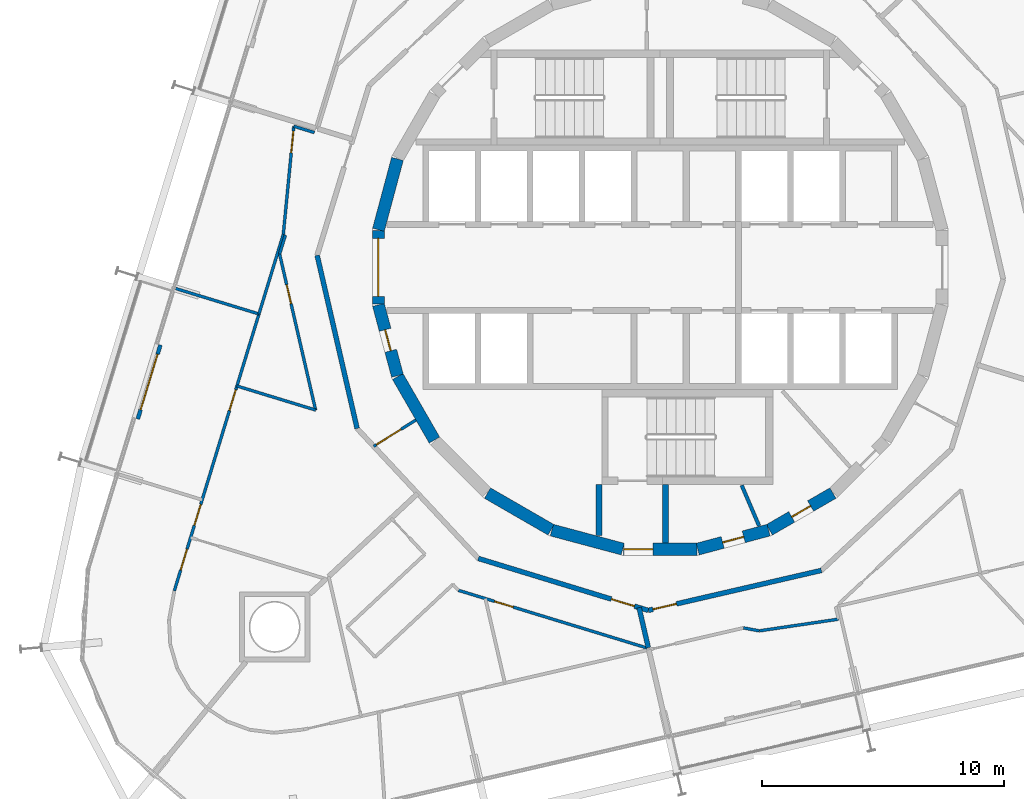
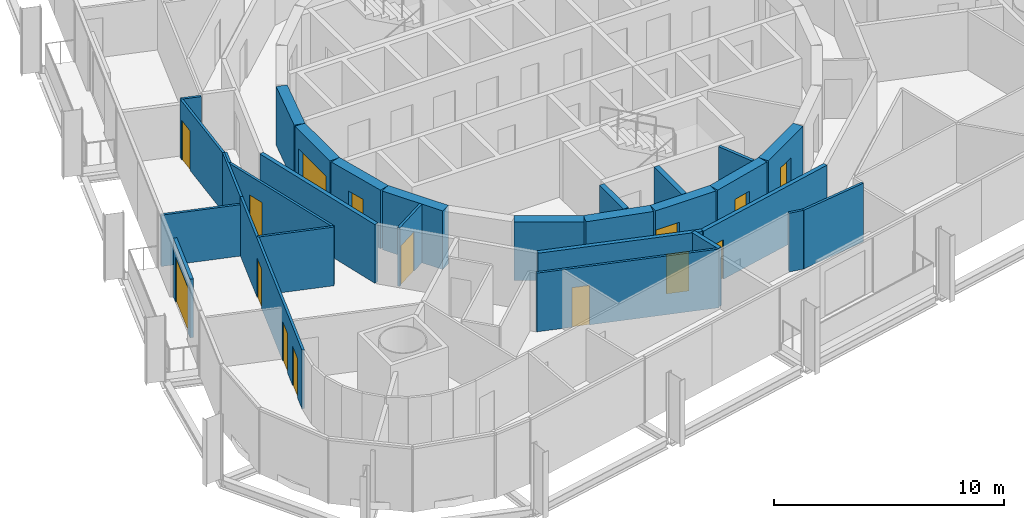
# One storey, part 12 of 18: 29 walls, 15 doors, 15 openings.
"""IFC4 building model written with IfcOpenShell, lengths in metres."""

from ifc_helpers import new_model, si_unit, direction, frame, frame_2d, origin, place, context, subcontext, project, spatial, rectangle, extrude, material, layer, layer_set, type_object, element, fill, save


model = new_model("IFC4")

# Units and contexts
model_context = context("Model", 3, precision=1e-05, world=origin(), true_north=direction((0.0, 1.0)))
body_context = subcontext(model_context, "Body", "Model", "MODEL_VIEW")
ifc_project = project(units=[si_unit("LENGTHUNIT", "METRE"), si_unit("AREAUNIT", "SQUARE_METRE"), si_unit("VOLUMEUNIT", "CUBIC_METRE"), si_unit("PLANEANGLEUNIT", "RADIAN"), si_unit("MASSUNIT", "GRAM", prefix="KILO")], contexts=[model_context])

# Site, building, storey
site_placement = place(None, origin())
site = spatial("IfcSite", under=ifc_project, at=site_placement, CompositionType="ELEMENT")
building_placement = place(site_placement, origin())
building = spatial("IfcBuilding", under=site, at=building_placement, Name="Spindle Arch Residences", CompositionType="ELEMENT")
storey_placement = place(building_placement, frame((0.0, 0.0, 116.89990234375)))
storey = spatial("IfcBuildingStorey", under=building, at=storey_placement, Name="L28", CompositionType="ELEMENT", Elevation=116.89990234375)

# Wall, opening, door
ifc_material_1 = material(Name="Concrete C50/60", Category="concrete")
ifc_layer_1 = layer(ifc_material_1, 0.5)
ifc_layer_set_1 = layer_set([ifc_layer_1], Name="Core outline wall 500")
wall_type_1 = type_object("IfcWallType", Name="Core outline wall 500", PredefinedType="SHEAR", material=ifc_layer_set_1)
wall_1_placement = place(storey_placement, frame((1.5498046875, -11.642822265625, 0.0), z_axis=(0.0, 0.0, 1.0), x_axis=(0.965948410781, 0.258734743916, 0.0)))
wall_1 = element("IfcWall", 1, at=wall_1_placement, inside=storey, type_object=wall_type_1, Name="Core outline wall 1", PredefinedType="SHEAR", context=body_context, shape_type="SweptSolid", body=[
    extrude(rectangle(XDim=3.03271484375, YDim=0.5, at=frame_2d((1.516357421875, 0.0))), origin(), (0.0, 0.0, 1.0), 3.1201171875),
])
opening_1_placement = place(wall_1_placement, frame((1.06640625, 0.0, 0.0)))
opening_1 = element("IfcOpeningElement", 2, at=opening_1_placement, cuts=wall_1, Name="Opening R3A1-WD09", PredefinedType="OPENING", context=body_context, shape_type="SweptSolid", body=[
    extrude(rectangle(XDim=0.89990234375, YDim=2.10009765625, at=frame_2d((0.449951171875, 1.050048828125))), frame((0.0, 0.260009765625, 0.0), z_axis=(0.0, -1.0, 0.0), x_axis=(1.0, 0.0, 0.0)), (0.0, 0.0, 1.0), 0.52001953125),
])
ifc_material_2 = material(Name="Steel, fire-resisting door", Category="steel")
door_type_1 = type_object("IfcDoorType", Name="Service room door 900x2100", OperationType="SINGLE_SWING_LEFT", PredefinedType="DOOR", material=ifc_material_2)
door_1_placement = place(opening_1_placement, origin())
door_1 = element("IfcDoor", 3, at=door_1_placement, inside=storey, type_object=door_type_1, Name="Service room door R3A1-WD09", OperationType="SINGLE_SWING_RIGHT", OverallHeight=2.10009765625, OverallWidth=0.89990234375, PredefinedType="DOOR", context=body_context, shape_type="SweptSolid", body=[
    extrude(rectangle(XDim=0.89990234375, YDim=2.10009765625, at=frame_2d((0.449951171875, 1.050048828125))), frame((0.0, 0.02490234375, 0.0), z_axis=(0.0, -1.0, 0.0), x_axis=(1.0, 0.0, 0.0)), (0.0, 0.0, 1.0), 0.050048828125),
])
fill(opening_1, door_1)

wall_2_placement = place(storey_placement, frame((4.510498046875, -10.84521484375, 0.0), z_axis=(0.0, 0.0, 1.0), x_axis=(0.865975092491, 0.500087131594, 0.0)))
wall_2 = element("IfcWall", 4, at=wall_2_placement, inside=storey, type_object=wall_type_1, Name="Core outline wall 2", PredefinedType="SHEAR", context=body_context, shape_type="SweptSolid", body=[
    extrude(rectangle(XDim=3.03271484375, YDim=0.5, at=frame_2d((1.516357421875, 0.0))), origin(), (0.0, 0.0, 1.0), 3.1201171875),
])
opening_2_placement = place(wall_2_placement, frame((1.06640625, 0.0, 0.0)))
opening_2 = element("IfcOpeningElement", 5, at=opening_2_placement, cuts=wall_2, Name="Opening R3A1-WD10", PredefinedType="OPENING", context=body_context, shape_type="SweptSolid", body=[
    extrude(rectangle(XDim=0.89990234375, YDim=2.10009765625, at=frame_2d((0.449951171875, 1.050048828125))), frame((0.0, 0.260009765625, 0.0), z_axis=(0.0, -1.0, 0.0), x_axis=(1.0, 0.0, 0.0)), (0.0, 0.0, 1.0), 0.52001953125),
])
door_2_placement = place(opening_2_placement, origin())
door_2 = element("IfcDoor", 6, at=door_2_placement, inside=storey, type_object=door_type_1, Name="Service room door R3A1-WD10", OperationType="SINGLE_SWING_LEFT", OverallHeight=2.10009765625, OverallWidth=0.89990234375, PredefinedType="DOOR", context=body_context, shape_type="SweptSolid", body=[
    extrude(rectangle(XDim=0.89990234375, YDim=2.10009765625, at=frame_2d((0.449951171875, 1.050048828125))), frame((0.0, 0.02490234375, 0.0), z_axis=(0.0, -1.0, 0.0), x_axis=(1.0, 0.0, 0.0)), (0.0, 0.0, 1.0), 0.050048828125),
])
fill(opening_2, door_2)

# Wall
wall_3_placement = place(storey_placement, frame((-10.858154296875, 4.479248046875, 0.0), z_axis=(0.0, 0.0, 1.0), x_axis=(-0.258734743916, -0.965948410781, 0.0)))
element("IfcWall", 7, at=wall_3_placement, inside=storey, type_object=wall_type_1, Name="Core outline wall 17", PredefinedType="SHEAR", context=body_context, shape_type="SweptSolid", body=[
    extrude(rectangle(XDim=3.03271484375, YDim=0.5, at=frame_2d((1.516357421875, 0.0))), origin(), (0.0, 0.0, 1.0), 3.1201171875),
])

# Wall, opening, door
wall_4_placement = place(storey_placement, frame((-11.647216796875, 1.516357421875, 0.0), z_axis=(0.0, 0.0, 1.0), x_axis=(0.0, -1.0, 0.0)))
wall_4 = element("IfcWall", 8, at=wall_4_placement, inside=storey, type_object=wall_type_1, Name="Core outline wall 18", PredefinedType="SHEAR", context=body_context, shape_type="SweptSolid", body=[
    extrude(rectangle(XDim=3.03271484375, YDim=0.5, at=frame_2d((1.516357421875, 0.0))), origin(), (0.0, 0.0, 1.0), 3.1201171875),
])
opening_3_placement = place(wall_4_placement, frame((0.31640625, 0.0, 0.0)))
opening_3 = element("IfcOpeningElement", 9, at=opening_3_placement, cuts=wall_4, Name="Opening R3A1-LE01", PredefinedType="OPENING", context=body_context, shape_type="SweptSolid", body=[
    extrude(rectangle(XDim=2.39990234375, YDim=2.10009765625, at=frame_2d((1.199951171875, 1.050048828125))), frame((0.0, 0.260009765625, 0.0), z_axis=(0.0, -1.0, 0.0), x_axis=(1.0, 0.0, 0.0)), (0.0, 0.0, 1.0), 0.52001953125),
])
ifc_material_3 = material(Name="Steel, fire-resisting door", Category="steel")
door_type_2 = type_object("IfcDoorType", Name="Lift lobby entrance door 2400x2100", OperationType="DOUBLE_DOOR_SINGLE_SWING", PredefinedType="DOOR", material=ifc_material_3)
door_3_placement = place(opening_3_placement, origin())
door_3 = element("IfcDoor", 10, at=door_3_placement, inside=storey, type_object=door_type_2, Name="Lift lobby entrance door R3A1-LE01", OperationType="DOUBLE_DOOR_SINGLE_SWING", OverallHeight=2.10009765625, OverallWidth=2.39990234375, PredefinedType="DOOR", context=body_context, shape_type="SweptSolid", body=[
    extrude(rectangle(XDim=2.39990234375, YDim=2.10009765625, at=frame_2d((1.199951171875, 1.050048828125))), frame((0.0, 0.02490234375, 0.0), z_axis=(0.0, -1.0, 0.0), x_axis=(1.0, 0.0, 0.0)), (0.0, 0.0, 1.0), 0.050048828125),
])
fill(opening_3, door_3)

wall_5_placement = place(storey_placement, frame((-11.642822265625, -1.5498046875, 0.0), z_axis=(0.0, 0.0, 1.0), x_axis=(0.258734743916, -0.965948410781, 0.0)))
wall_5 = element("IfcWall", 11, at=wall_5_placement, inside=storey, type_object=wall_type_1, Name="Core outline wall 19", PredefinedType="SHEAR", context=body_context, shape_type="SweptSolid", body=[
    extrude(rectangle(XDim=3.03271484375, YDim=0.5, at=frame_2d((1.516357421875, 0.0))), origin(), (0.0, 0.0, 1.0), 3.1201171875),
])
opening_4_placement = place(wall_5_placement, frame((1.06640625, 0.0, 0.0)))
opening_4 = element("IfcOpeningElement", 12, at=opening_4_placement, cuts=wall_5, Name="Opening R3A1-WD11", PredefinedType="OPENING", context=body_context, shape_type="SweptSolid", body=[
    extrude(rectangle(XDim=0.89990234375, YDim=2.10009765625, at=frame_2d((0.449951171875, 1.050048828125))), frame((0.0, 0.260009765625, 0.0), z_axis=(0.0, -1.0, 0.0), x_axis=(1.0, 0.0, 0.0)), (0.0, 0.0, 1.0), 0.52001953125),
])
door_4_placement = place(opening_4_placement, origin())
door_4 = element("IfcDoor", 13, at=door_4_placement, inside=storey, type_object=door_type_1, Name="Service room door R3A1-WD11", OperationType="SINGLE_SWING_RIGHT", OverallHeight=2.10009765625, OverallWidth=0.89990234375, PredefinedType="DOOR", context=body_context, shape_type="SweptSolid", body=[
    extrude(rectangle(XDim=0.89990234375, YDim=2.10009765625, at=frame_2d((0.449951171875, 1.050048828125))), frame((0.0, 0.02490234375, 0.0), z_axis=(0.0, -1.0, 0.0), x_axis=(1.0, 0.0, 0.0)), (0.0, 0.0, 1.0), 0.050048828125),
])
fill(opening_4, door_4)

# Walls
for number, where, z_axis, x_axis, name in (
    (14, (-10.84521484375, -4.510498046875, 0.0), (0.0, 0.0, 1.0), (0.500087131594, -0.865975092491, 0.0), "Core outline wall 20"),
    (15, (-7.13671875, -9.32861328125, 0.0), (0.0, 0.0, 1.0), (0.865975092491, -0.500087131594, 0.0), "Core outline wall 22"),
    (16, (-4.479248046875, -10.858154296875, 0.0), (0.0, 0.0, 1.0), (0.965948410781, -0.258734743916, 0.0), "Core outline wall 23"),
):
    element("IfcWall", number, at=place(storey_placement, frame(where, z_axis=z_axis, x_axis=x_axis)), inside=storey, type_object=wall_type_1, Name=name, PredefinedType="SHEAR", context=body_context, shape_type="SweptSolid", body=[
        extrude(rectangle(XDim=3.03271484375, YDim=0.5, at=frame_2d((1.516357421875, 0.0))), origin(), (0.0, 0.0, 1.0), 3.1201171875),
    ])

# Wall, opening, door
wall_6_placement = place(storey_placement, frame((-1.516357421875, -11.647216796875, 0.0), z_axis=(0.0, 0.0, 1.0), x_axis=(1.0, 0.0, 0.0)))
wall_6 = element("IfcWall", 17, at=wall_6_placement, inside=storey, type_object=wall_type_1, Name="Core outline wall 24", PredefinedType="SHEAR", context=body_context, shape_type="SweptSolid", body=[
    extrude(rectangle(XDim=3.03271484375, YDim=0.5, at=frame_2d((1.516357421875, 0.0))), origin(), (0.0, 0.0, 1.0), 3.1201171875),
])
opening_5_placement = place(wall_6_placement, frame((0.016357421875, 0.0, 0.0)))
opening_5 = element("IfcOpeningElement", 18, at=opening_5_placement, cuts=wall_6, Name="Opening R3A1-AD03", PredefinedType="OPENING", context=body_context, shape_type="SweptSolid", body=[
    extrude(rectangle(XDim=1.199951171875, YDim=2.10009765625, at=frame_2d((0.60009765625, 1.050048828125))), frame((0.0, 0.260009765625, 0.0), z_axis=(0.0, -1.0, 0.0), x_axis=(1.0, 0.0, 0.0)), (0.0, 0.0, 1.0), 0.52001953125),
])
ifc_material_4 = material(Name="Steel, fire-resisting door", Category="steel")
door_type_3 = type_object("IfcDoorType", Name="Stair airlock door 1200x2100", OperationType="SINGLE_SWING_LEFT", PredefinedType="DOOR", material=ifc_material_4)
door_5_placement = place(opening_5_placement, origin())
door_5 = element("IfcDoor", 19, at=door_5_placement, inside=storey, type_object=door_type_3, Name="Stair airlock door R3A1-AD03", OperationType="SINGLE_SWING_RIGHT", OverallHeight=2.10009765625, OverallWidth=1.199951171875, PredefinedType="DOOR", context=body_context, shape_type="SweptSolid", body=[
    extrude(rectangle(XDim=1.199951171875, YDim=2.10009765625, at=frame_2d((0.60009765625, 1.050048828125))), frame((0.0, 0.02490234375, 0.0), z_axis=(0.0, -1.0, 0.0), x_axis=(1.0, 0.0, 0.0)), (0.0, 0.0, 1.0), 0.050048828125),
])
fill(opening_5, door_5)

ifc_material_5 = material(Name="Plasterboard on steel studs", Category="steel")
ifc_layer_2 = layer(ifc_material_5, 0.1201171875)
ifc_layer_set_2 = layer_set([ifc_layer_2], Name="Corridor division wall 120")
wall_type_2 = type_object("IfcWallType", Name="Corridor division wall 120", PredefinedType="PARTITIONING", material=ifc_layer_set_2)
wall_7_placement = place(storey_placement, frame((-11.835693359375, -7.395751953125, 0.0), z_axis=(0.0, 0.0, 1.0), x_axis=(0.848071831599, 0.529881277692, 0.0)))
wall_7 = element("IfcWall", 20, at=wall_7_placement, inside=storey, type_object=wall_type_2, Name="Corridor division wall R3A1-W003", PredefinedType="PARTITIONING", context=body_context, shape_type="SweptSolid", body=[
    extrude(rectangle(XDim=2.0517578125, YDim=0.1201171875, at=frame_2d((1.02587890625, 0.0))), origin(), (0.0, 0.0, 1.0), 3.1201171875),
])
opening_6_placement = place(wall_7_placement, frame((0.125, 0.0, 0.0)))
opening_6 = element("IfcOpeningElement", 21, at=opening_6_placement, cuts=wall_7, Name="Opening R3A1-CD03", PredefinedType="OPENING", context=body_context, shape_type="SweptSolid", body=[
    extrude(rectangle(XDim=1.199951171875, YDim=2.10009765625, at=frame_2d((0.60009765625, 1.050048828125))), frame((0.0, 0.070068359375, 0.0), z_axis=(0.0, -1.0, 0.0), x_axis=(1.0, 0.0, 0.0)), (0.0, 0.0, 1.0), 0.14013671875),
])
ifc_material_6 = material(Name="Steel, fire-resisting door", Category="steel")
door_type_4 = type_object("IfcDoorType", Name="Corridor division door 1200x2100", OperationType="NOTDEFINED", PredefinedType="DOOR", material=ifc_material_6)
door_6_placement = place(opening_6_placement, origin())
door_6 = element("IfcDoor", 22, at=door_6_placement, inside=storey, type_object=door_type_4, Name="Corridor division door R3A1-CD03", OperationType="DOUBLE_DOOR_SINGLE_SWING", OverallHeight=2.10009765625, OverallWidth=1.199951171875, PredefinedType="DOOR", context=body_context, shape_type="SweptSolid", body=[
    extrude(rectangle(XDim=1.199951171875, YDim=2.10009765625, at=frame_2d((0.60009765625, 1.050048828125))), frame((0.0, 0.02490234375, 0.0), z_axis=(0.0, -1.0, 0.0), x_axis=(1.0, 0.0, 0.0)), (0.0, 0.0, 1.0), 0.050048828125),
])
fill(opening_6, door_6)

# Wall
ifc_material_7 = material(Name="Calcium silicate block, plastered")
ifc_layer_3 = layer(ifc_material_7, 0.199951171875)
ifc_layer_set_3 = layer_set([ifc_layer_3], Name="Corridor wall 200")
wall_type_3 = type_object("IfcWallType", Name="Corridor wall 200", PredefinedType="STANDARD", material=ifc_layer_set_3)
wall_8_placement = place(storey_placement, frame((-14.174560546875, 0.4951171875, 0.0), z_axis=(0.0, 0.0, 1.0), x_axis=(0.224922649383, -0.974376622151, 0.0)))
element("IfcWall", 23, at=wall_8_placement, inside=storey, type_object=wall_type_3, Name="Corridor wall R3A1-W011", PredefinedType="STANDARD", context=body_context, shape_type="SweptSolid", body=[
    extrude(rectangle(XDim=7.342041015625, YDim=0.199951171875, at=frame_2d((3.6708984375, 0.0))), origin(), (0.0, 0.0, 1.0), 3.1201171875),
])

# Wall, opening, door
wall_9_placement = place(storey_placement, frame((-7.51611328125, -12.028076171875, 0.0), z_axis=(0.0, 0.0, 1.0), x_axis=(0.956306642771, -0.292365533182, 0.0)))
wall_9 = element("IfcWall", 24, at=wall_9_placement, inside=storey, type_object=wall_type_3, Name="Corridor wall R3A1-W013", PredefinedType="STANDARD", context=body_context, shape_type="SweptSolid", body=[
    extrude(rectangle(XDim=7.341796875, YDim=0.199951171875, at=frame_2d((3.6708984375, 0.0))), origin(), (0.0, 0.0, 1.0), 3.1201171875),
])
opening_7_placement = place(wall_9_placement, frame((5.7451171875, 0.0, 0.0)))
opening_7 = element("IfcOpeningElement", 25, at=opening_7_placement, cuts=wall_9, Name="Opening R3A1-FD05", PredefinedType="OPENING", context=body_context, shape_type="SweptSolid", body=[
    extrude(rectangle(XDim=1.0, YDim=2.10009765625, at=frame_2d((0.5, 1.050048828125))), frame((0.0, 0.10986328125, 0.0), z_axis=(0.0, -1.0, 0.0), x_axis=(1.0, 0.0, 0.0)), (0.0, 0.0, 1.0), 0.219970703125),
])
ifc_material_8 = material(Name="Timber, fire-resisting door set", Category="wood")
door_type_5 = type_object("IfcDoorType", Name="Flat entrance door 1000x2100", OperationType="NOTDEFINED", PredefinedType="DOOR", material=ifc_material_8)
door_7_placement = place(opening_7_placement, origin())
door_7 = element("IfcDoor", 26, at=door_7_placement, inside=storey, type_object=door_type_5, Name="Flat entrance door R3A1-FD05", OperationType="SINGLE_SWING_LEFT", OverallHeight=2.10009765625, OverallWidth=1.0, PredefinedType="DOOR", context=body_context, shape_type="SweptSolid", body=[
    extrude(rectangle(XDim=1.0, YDim=2.10009765625, at=frame_2d((0.5, 1.050048828125))), frame((0.0, 0.02490234375, 0.0), z_axis=(0.0, -1.0, 0.0), x_axis=(1.0, 0.0, 0.0)), (0.0, 0.0, 1.0), 0.050048828125),
])
fill(opening_7, door_7)

wall_10_placement = place(storey_placement, frame((-0.4951171875, -14.174560546875, 0.0), z_axis=(0.0, 0.0, 1.0), x_axis=(0.974376622151, 0.224922649383, 0.0)))
wall_10 = element("IfcWall", 27, at=wall_10_placement, inside=storey, type_object=wall_type_3, Name="Corridor wall R3A1-W014", PredefinedType="STANDARD", context=body_context, shape_type="SweptSolid", body=[
    extrude(rectangle(XDim=7.342041015625, YDim=0.199951171875, at=frame_2d((3.6708984375, 0.0))), origin(), (0.0, 0.0, 1.0), 3.1201171875),
])
opening_8_placement = place(wall_10_placement, frame((0.199951171875, 0.0, 0.0)))
opening_8 = element("IfcOpeningElement", 28, at=opening_8_placement, cuts=wall_10, Name="Opening R3A1-FD06", PredefinedType="OPENING", context=body_context, shape_type="SweptSolid", body=[
    extrude(rectangle(XDim=1.0, YDim=2.10009765625, at=frame_2d((0.5, 1.050048828125))), frame((0.0, 0.10986328125, 0.0), z_axis=(0.0, -1.0, 0.0), x_axis=(1.0, 0.0, 0.0)), (0.0, 0.0, 1.0), 0.219970703125),
])
door_8_placement = place(opening_8_placement, origin())
door_8 = element("IfcDoor", 29, at=door_8_placement, inside=storey, type_object=door_type_5, Name="Flat entrance door R3A1-FD06", OperationType="SINGLE_SWING_LEFT", OverallHeight=2.10009765625, OverallWidth=1.0, PredefinedType="DOOR", context=body_context, shape_type="SweptSolid", body=[
    extrude(rectangle(XDim=1.0, YDim=2.10009765625, at=frame_2d((0.5, 1.050048828125))), frame((0.0, 0.02490234375, 0.0), z_axis=(0.0, -1.0, 0.0), x_axis=(1.0, 0.0, 0.0)), (0.0, 0.0, 1.0), 0.050048828125),
])
fill(opening_8, door_8)

# Wall
ifc_material_9 = material(Name="Plasterboard on steel studs", Category="steel")
ifc_layer_4 = layer(ifc_material_9, 0.1201171875)
ifc_layer_set_4 = layer_set([ifc_layer_4], Name="Flat partition 120")
wall_type_4 = type_object("IfcWallType", Name="Flat partition 120", PredefinedType="PARTITIONING", material=ifc_layer_set_4)
wall_11_placement = place(storey_placement, frame((-14.287353515625, 5.567626953125, 0.0), z_axis=(0.0, 0.0, 1.0), x_axis=(-0.956287662261, 0.292427609859, 0.0)))
element("IfcWall", 30, at=wall_11_placement, inside=storey, type_object=wall_type_4, Name="Flat partition R3A1-W073", PredefinedType="PARTITIONING", context=body_context, shape_type="SweptSolid", body=[
    extrude(rectangle(XDim=0.889892578125, YDim=0.1201171875, at=frame_2d((0.44482421875, 0.0))), origin(), (0.0, 0.0, 1.0), 3.1201171875),
])

# Wall, opening, door
wall_12_placement = place(storey_placement, frame((-15.138427734375, 5.827880859375, 0.0), z_axis=(0.0, 0.0, 1.0), x_axis=(-0.096967255409, -0.995287572201, 0.0)))
wall_12 = element("IfcWall", 31, at=wall_12_placement, inside=storey, type_object=wall_type_4, Name="Flat partition R3A1-W074", PredefinedType="PARTITIONING", context=body_context, shape_type="SweptSolid", body=[
    extrude(rectangle(XDim=4.4892578125, YDim=0.1201171875, at=frame_2d((2.24462890625, 0.0))), origin(), (0.0, 0.0, 1.0), 3.1201171875),
])
opening_9_placement = place(wall_12_placement, frame((0.199951171875, 0.0, 0.0)))
opening_9 = element("IfcOpeningElement", 32, at=opening_9_placement, cuts=wall_12, Name="Opening R3A1-ID17", PredefinedType="OPENING", context=body_context, shape_type="SweptSolid", body=[
    extrude(rectangle(XDim=0.89990234375, YDim=2.10009765625, at=frame_2d((0.449951171875, 1.050048828125))), frame((0.0, 0.070068359375, 0.0), z_axis=(0.0, -1.0, 0.0), x_axis=(1.0, 0.0, 0.0)), (0.0, 0.0, 1.0), 0.14013671875),
])
ifc_material_10 = material(Name="Timber door set", Category="wood")
door_type_6 = type_object("IfcDoorType", Name="Room door 900x2100", OperationType="NOTDEFINED", PredefinedType="DOOR", material=ifc_material_10)
door_9_placement = place(opening_9_placement, origin())
door_9 = element("IfcDoor", 33, at=door_9_placement, inside=storey, type_object=door_type_6, Name="Room door R3A1-ID17", OperationType="SINGLE_SWING_LEFT", OverallHeight=2.10009765625, OverallWidth=0.89990234375, PredefinedType="DOOR", context=body_context, shape_type="SweptSolid", body=[
    extrude(rectangle(XDim=0.89990234375, YDim=2.10009765625, at=frame_2d((0.449951171875, 1.050048828125))), frame((0.0, 0.02490234375, 0.0), z_axis=(0.0, -1.0, 0.0), x_axis=(1.0, 0.0, 0.0)), (0.0, 0.0, 1.0), 0.050048828125),
])
fill(opening_9, door_9)

# Wall
wall_13_placement = place(storey_placement, frame((-15.48681640625, 1.33349609375, 0.0), z_axis=(0.0, 0.0, 1.0), x_axis=(-0.2923698127, -0.956305334411, 0.0)))
element("IfcWall", 34, at=wall_13_placement, inside=storey, type_object=wall_type_4, Name="Flat partition R3A1-W075", PredefinedType="PARTITIONING", context=body_context, shape_type="SweptSolid", body=[
    extrude(rectangle(XDim=0.820068359375, YDim=0.1201171875, at=frame_2d((0.41015625, 0.0))), origin(), (0.0, 0.0, 1.0), 3.1201171875),
])

# Wall, opening, door
wall_14_placement = place(storey_placement, frame((-15.7265625, 0.54931640625, 0.0), z_axis=(0.0, 0.0, 1.0), x_axis=(0.224948441297, -0.974370668051, 0.0)))
wall_14 = element("IfcWall", 35, at=wall_14_placement, inside=storey, type_object=wall_type_4, Name="Flat partition R3A1-W076", PredefinedType="PARTITIONING", context=body_context, shape_type="SweptSolid", body=[
    extrude(rectangle(XDim=6.6162109375, YDim=0.1201171875, at=frame_2d((3.30810546875, 0.0))), origin(), (0.0, 0.0, 1.0), 3.1201171875),
])
opening_10_placement = place(wall_14_placement, frame((1.300048828125, 0.0, 0.0)))
opening_10 = element("IfcOpeningElement", 36, at=opening_10_placement, cuts=wall_14, Name="Opening R3A1-BD05", PredefinedType="OPENING", context=body_context, shape_type="SweptSolid", body=[
    extrude(rectangle(XDim=0.800048828125, YDim=2.10009765625, at=frame_2d((0.39990234375, 1.050048828125))), frame((0.0, 0.070068359375, 0.0), z_axis=(0.0, -1.0, 0.0), x_axis=(1.0, 0.0, 0.0)), (0.0, 0.0, 1.0), 0.14013671875),
])
ifc_material_11 = material(Name="Timber door set", Category="wood")
door_type_7 = type_object("IfcDoorType", Name="Bathroom door 800x2100", OperationType="NOTDEFINED", PredefinedType="DOOR", material=ifc_material_11)
door_10_placement = place(opening_10_placement, origin())
door_10 = element("IfcDoor", 37, at=door_10_placement, inside=storey, type_object=door_type_7, Name="Bathroom door R3A1-BD05", OperationType="SINGLE_SWING_RIGHT", OverallHeight=2.10009765625, OverallWidth=0.800048828125, PredefinedType="DOOR", context=body_context, shape_type="SweptSolid", body=[
    extrude(rectangle(XDim=0.800048828125, YDim=2.10009765625, at=frame_2d((0.39990234375, 1.050048828125))), frame((0.0, 0.02490234375, 0.0), z_axis=(0.0, -1.0, 0.0), x_axis=(1.0, 0.0, 0.0)), (0.0, 0.0, 1.0), 0.050048828125),
])
fill(opening_10, door_10)

# Wall
wall_15_placement = place(storey_placement, frame((-14.23828125, -5.897216796875, 0.0), z_axis=(0.0, 0.0, 1.0), x_axis=(-0.956314762513, 0.292338972768, 0.0)))
element("IfcWall", 38, at=wall_15_placement, inside=storey, type_object=wall_type_4, Name="Flat partition R3A1-W077", PredefinedType="PARTITIONING", context=body_context, shape_type="SweptSolid", body=[
    extrude(rectangle(XDim=3.39892578125, YDim=0.1201171875, at=frame_2d((1.699462890625, 0.0))), origin(), (0.0, 0.0, 1.0), 3.1201171875),
])

# Wall, openings, doors
wall_16_placement = place(storey_placement, frame((-16.5791015625, -1.927978515625, 0.0), z_axis=(0.0, 0.0, 1.0), x_axis=(-0.29236733738, -0.956306091183, 0.0)))
wall_16 = element("IfcWall", 39, at=wall_16_placement, inside=storey, type_object=wall_type_4, Name="Flat partition R3A1-W078", PredefinedType="PARTITIONING", context=body_context, shape_type="SweptSolid", body=[
    extrude(rectangle(XDim=11.962890625, YDim=0.1201171875, at=frame_2d((5.9814453125, 0.0))), origin(), (0.0, 0.0, 1.0), 3.1201171875),
])
opening_11_placement = place(wall_16_placement, frame((3.271484375, 0.0, 0.0)))
opening_11 = element("IfcOpeningElement", 40, at=opening_11_placement, cuts=wall_16, Name="Opening R3A1-ID18", PredefinedType="OPENING", context=body_context, shape_type="SweptSolid", body=[
    extrude(rectangle(XDim=0.89990234375, YDim=2.10009765625, at=frame_2d((0.449951171875, 1.050048828125))), frame((0.0, 0.070068359375, 0.0), z_axis=(0.0, -1.0, 0.0), x_axis=(1.0, 0.0, 0.0)), (0.0, 0.0, 1.0), 0.14013671875),
])
opening_12_placement = place(wall_16_placement, frame((8.22900390625, 0.0, 0.0)))
opening_12 = element("IfcOpeningElement", 41, at=opening_12_placement, cuts=wall_16, Name="Opening R3A1-ID19", PredefinedType="OPENING", context=body_context, shape_type="SweptSolid", body=[
    extrude(rectangle(XDim=0.89990234375, YDim=2.10009765625, at=frame_2d((0.449951171875, 1.050048828125))), frame((0.0, 0.070068359375, 0.0), z_axis=(0.0, -1.0, 0.0), x_axis=(1.0, 0.0, 0.0)), (0.0, 0.0, 1.0), 0.14013671875),
])
opening_13_placement = place(wall_16_placement, frame((10.160888671875, 0.0, 0.0)))
opening_13 = element("IfcOpeningElement", 42, at=opening_13_placement, cuts=wall_16, Name="Opening R3A1-ID21", PredefinedType="OPENING", context=body_context, shape_type="SweptSolid", body=[
    extrude(rectangle(XDim=0.89990234375, YDim=2.10009765625, at=frame_2d((0.449951171875, 1.050048828125))), frame((0.0, 0.070068359375, 0.0), z_axis=(0.0, -1.0, 0.0), x_axis=(1.0, 0.0, 0.0)), (0.0, 0.0, 1.0), 0.14013671875),
])
door_11_placement = place(opening_11_placement, origin())
door_11 = element("IfcDoor", 43, at=door_11_placement, inside=storey, type_object=door_type_6, Name="Room door R3A1-ID18", OperationType="SINGLE_SWING_RIGHT", OverallHeight=2.10009765625, OverallWidth=0.89990234375, PredefinedType="DOOR", context=body_context, shape_type="SweptSolid", body=[
    extrude(rectangle(XDim=0.89990234375, YDim=2.10009765625, at=frame_2d((0.449951171875, 1.050048828125))), frame((0.0, 0.02490234375, 0.0), z_axis=(0.0, -1.0, 0.0), x_axis=(1.0, 0.0, 0.0)), (0.0, 0.0, 1.0), 0.050048828125),
])
fill(opening_11, door_11)
door_12_placement = place(opening_12_placement, origin())
door_12 = element("IfcDoor", 44, at=door_12_placement, inside=storey, type_object=door_type_6, Name="Room door R3A1-ID19", OperationType="SINGLE_SWING_RIGHT", OverallHeight=2.10009765625, OverallWidth=0.89990234375, PredefinedType="DOOR", context=body_context, shape_type="SweptSolid", body=[
    extrude(rectangle(XDim=0.89990234375, YDim=2.10009765625, at=frame_2d((0.449951171875, 1.050048828125))), frame((0.0, 0.02490234375, 0.0), z_axis=(0.0, -1.0, 0.0), x_axis=(1.0, 0.0, 0.0)), (0.0, 0.0, 1.0), 0.050048828125),
])
fill(opening_12, door_12)
door_13_placement = place(opening_13_placement, origin())
door_13 = element("IfcDoor", 45, at=door_13_placement, inside=storey, type_object=door_type_6, Name="Room door R3A1-ID21", OperationType="SINGLE_SWING_LEFT", OverallHeight=2.10009765625, OverallWidth=0.89990234375, PredefinedType="DOOR", context=body_context, shape_type="SweptSolid", body=[
    extrude(rectangle(XDim=0.89990234375, YDim=2.10009765625, at=frame_2d((0.449951171875, 1.050048828125))), frame((0.0, 0.02490234375, 0.0), z_axis=(0.0, -1.0, 0.0), x_axis=(1.0, 0.0, 0.0)), (0.0, 0.0, 1.0), 0.050048828125),
])
fill(opening_13, door_13)

# Wall
wall_17_placement = place(storey_placement, frame((-16.5791015625, -1.927978515625, 0.0), z_axis=(0.0, 0.0, 1.0), x_axis=(0.292418780126, 0.956290362301, 0.0)))
element("IfcWall", 46, at=wall_17_placement, inside=storey, type_object=wall_type_4, Name="Flat partition R3A1-W080", PredefinedType="PARTITIONING", context=body_context, shape_type="SweptSolid", body=[
    extrude(rectangle(XDim=3.438232421875, YDim=0.1201171875, at=frame_2d((1.71923828125, 0.0))), origin(), (0.0, 0.0, 1.0), 3.1201171875),
])

# Wall, opening, door
wall_18_placement = place(storey_placement, frame((-8.3388671875, -13.34521484375, 0.0), z_axis=(0.0, 0.0, 1.0), x_axis=(0.956310145342, -0.292354076276, 0.0)))
wall_18 = element("IfcWall", 47, at=wall_18_placement, inside=storey, type_object=wall_type_4, Name="Flat partition R3A1-W093", PredefinedType="PARTITIONING", context=body_context, shape_type="SweptSolid", body=[
    extrude(rectangle(XDim=8.1455078125, YDim=0.1201171875, at=frame_2d((4.07275390625, 0.0))), origin(), (0.0, 0.0, 1.0), 3.1201171875),
])
opening_14_placement = place(wall_18_placement, frame((1.565185546875, 0.0, 0.0)))
opening_14 = element("IfcOpeningElement", 48, at=opening_14_placement, cuts=wall_18, Name="Opening R3A1-BD06", PredefinedType="OPENING", context=body_context, shape_type="SweptSolid", body=[
    extrude(rectangle(XDim=0.800048828125, YDim=2.10009765625, at=frame_2d((0.39990234375, 1.050048828125))), frame((0.0, 0.070068359375, 0.0), z_axis=(0.0, -1.0, 0.0), x_axis=(1.0, 0.0, 0.0)), (0.0, 0.0, 1.0), 0.14013671875),
])
door_14_placement = place(opening_14_placement, origin())
door_14 = element("IfcDoor", 49, at=door_14_placement, inside=storey, type_object=door_type_7, Name="Bathroom door R3A1-BD06", OperationType="SINGLE_SWING_LEFT", OverallHeight=2.10009765625, OverallWidth=0.800048828125, PredefinedType="DOOR", context=body_context, shape_type="SweptSolid", body=[
    extrude(rectangle(XDim=0.800048828125, YDim=2.10009765625, at=frame_2d((0.39990234375, 1.050048828125))), frame((0.0, 0.02490234375, 0.0), z_axis=(0.0, -1.0, 0.0), x_axis=(1.0, 0.0, 0.0)), (0.0, 0.0, 1.0), 0.050048828125),
])
fill(opening_14, door_14)

# Walls
wall_19_placement = place(storey_placement, frame((3.439697265625, -14.89892578125, 0.0), z_axis=(0.0, 0.0, 1.0), x_axis=(0.98314539863, -0.182825395264, 0.0)))
element("IfcWall", 50, at=wall_19_placement, inside=storey, type_object=wall_type_4, Name="Flat partition R3A1-W103", PredefinedType="PARTITIONING", context=body_context, shape_type="SweptSolid", body=[
    extrude(rectangle(XDim=0.6650390625, YDim=0.1201171875, at=frame_2d((0.33251953125, 0.0))), origin(), (0.0, 0.0, 1.0), 3.1201171875),
])
wall_20_placement = place(storey_placement, frame((4.093505859375, -15.0205078125, 0.0), z_axis=(0.0, 0.0, 1.0), x_axis=(0.989259616433, 0.146169118814, 0.0)))
element("IfcWall", 51, at=wall_20_placement, inside=storey, type_object=wall_type_4, Name="Flat partition R3A1-W104", PredefinedType="PARTITIONING", context=body_context, shape_type="SweptSolid", body=[
    extrude(rectangle(XDim=3.310546875, YDim=0.1201171875, at=frame_2d((1.6552734375, 0.0))), origin(), (0.0, 0.0, 1.0), 3.1201171875),
])
ifc_material_12 = material(Name="Plasterboard on steel studs", Category="steel")
ifc_layer_5 = layer(ifc_material_12, 0.1201171875)
ifc_layer_set_5 = layer_set([ifc_layer_5], Name="Flat partition 120 under beam 2730")
wall_type_5 = type_object("IfcWallType", Name="Flat partition 120 under beam 2730", PredefinedType="PARTITIONING", material=ifc_layer_set_5)
wall_21_placement = place(storey_placement, frame((-20.021728515625, -0.87548828125, 0.0), z_axis=(0.0, 0.0, 1.0), x_axis=(0.956306810244, -0.292364985388, 0.0)))
element("IfcWall", 52, at=wall_21_placement, inside=storey, type_object=wall_type_5, Name="Flat partition R3A1-W081", PredefinedType="PARTITIONING", context=body_context, shape_type="SweptSolid", body=[
    extrude(rectangle(XDim=3.599853515625, YDim=0.1201171875, at=frame_2d((1.7998046875, 0.0))), origin(), (0.0, 0.0, 1.0), 2.72998046875),
])
ifc_material_13 = material(Name="Calcium silicate block, plastered")
ifc_layer_6 = layer(ifc_material_13, 0.199951171875)
ifc_layer_set_6 = layer_set([ifc_layer_6], Name="Flat party wall 200")
wall_type_6 = type_object("IfcWallType", Name="Flat party wall 200", PredefinedType="STANDARD", material=ifc_layer_set_6)
wall_22_placement = place(storey_placement, frame((-0.492431640625, -15.71337890625, 0.0), z_axis=(0.0, 0.0, 1.0), x_axis=(-0.224974992875, 0.97436453783, 0.0)))
element("IfcWall", 53, at=wall_22_placement, inside=storey, type_object=wall_type_6, Name="Flat party wall R3A1-W028", PredefinedType="STANDARD", context=body_context, shape_type="SweptSolid", body=[
    extrude(rectangle(XDim=1.6982421875, YDim=0.199951171875, at=frame_2d((0.84912109375, 0.0))), origin(), (0.0, 0.0, 1.0), 3.1201171875),
])

# Wall, opening, door
ifc_material_14 = material(Name="Non-combustible mineral wool insulated aluminium faced external wall (K0)", Category="aluminium")
ifc_layer_7 = layer(ifc_material_14, 0.159912109375)
ifc_layer_set_7 = layer_set([ifc_layer_7], Name="Insulated external wall panel 160")
wall_type_7 = type_object("IfcWallType", Name="Insulated external wall panel 160", PredefinedType="STANDARD", material=ifc_layer_set_7)
wall_23_placement = place(storey_placement, frame((-20.651123046875, -3.2080078125, 0.0), z_axis=(0.0, 0.0, 1.0), x_axis=(-0.292369725807, -0.956305360976, 0.0)))
wall_23 = element("IfcWall", 54, at=wall_23_placement, inside=storey, type_object=wall_type_7, Name="External wall L28 bay 16", PredefinedType="STANDARD", context=body_context, shape_type="SweptSolid", body=[
    extrude(rectangle(XDim=3.199951171875, YDim=0.159912109375, at=frame_2d((1.60009765625, 0.0))), origin(), (0.0, 0.0, 1.0), 3.1201171875),
])
opening_15_placement = place(wall_23_placement, frame((0.39990234375, 0.0, 0.0)))
opening_15 = element("IfcOpeningElement", 55, at=opening_15_placement, cuts=wall_23, Name="Opening BD16", PredefinedType="OPENING", context=body_context, shape_type="SweptSolid", body=[
    extrude(rectangle(XDim=2.39990234375, YDim=2.39990234375, at=frame_2d((1.199951171875, 1.199951171875))), frame((0.0, 0.08984375, 0.0), z_axis=(0.0, -1.0, 0.0), x_axis=(1.0, 0.0, 0.0)), (0.0, 0.0, 1.0), 0.179931640625),
])
ifc_material_15 = material(Name="Bronze aluminium frame, tinted double glazing", Category="aluminium")
door_type_8 = type_object("IfcDoorType", Name="Sliding glazed balcony door 2400x2400", OperationType="DOUBLE_DOOR_SLIDING", PredefinedType="DOOR", material=ifc_material_15)
door_15_placement = place(opening_15_placement, origin())
door_15 = element("IfcDoor", 56, at=door_15_placement, inside=storey, type_object=door_type_8, Name="Balcony door BD16", OperationType="DOUBLE_DOOR_SLIDING", OverallHeight=2.39990234375, OverallWidth=2.39990234375, PredefinedType="DOOR", context=body_context, shape_type="SweptSolid", body=[
    extrude(rectangle(XDim=2.39990234375, YDim=2.39990234375, at=frame_2d((1.199951171875, 1.199951171875))), frame((0.0, 0.02490234375, 0.0), z_axis=(0.0, -1.0, 0.0), x_axis=(1.0, 0.0, 0.0)), (0.0, 0.0, 1.0), 0.050048828125),
])
fill(opening_15, door_15)

# Walls
ifc_material_16 = material(Name="Concrete C25/30", Category="concrete")
ifc_layer_8 = layer(ifc_material_16, 0.14990234375)
ifc_layer_set_8 = layer_set([ifc_layer_8], Name="Service room partition 150")
wall_type_8 = type_object("IfcWallType", Name="Service room partition 150", PredefinedType="PARTITIONING", material=ifc_layer_set_8)
wall_24_placement = place(storey_placement, frame((3.366943359375, -9.0068359375, 0.0), z_axis=(0.0, 0.0, 1.0), x_axis=(0.394387482265, -0.918944238696, 0.0)))
element("IfcWall", 57, at=wall_24_placement, inside=storey, type_object=wall_type_8, Name="Core service room partition", PredefinedType="PARTITIONING", context=body_context, shape_type="SweptSolid", body=[
    extrude(rectangle(XDim=1.824951171875, YDim=0.14990234375, at=frame_2d((0.91259765625, 0.0))), origin(), (0.0, 0.0, 1.0), 3.1201171875),
])
ifc_material_17 = material(Name="Concrete C40/50", Category="concrete")
ifc_layer_9 = layer(ifc_material_17, 0.25)
ifc_layer_set_9 = layer_set([ifc_layer_9], Name="Stair airlock wall 250")
wall_type_9 = type_object("IfcWallType", Name="Stair airlock wall 250", PredefinedType="SHEAR", material=ifc_layer_set_9)
wall_25_placement = place(storey_placement, frame((-2.52490234375, -8.969970703125, 0.0), z_axis=(0.0, 0.0, 1.0), x_axis=(0.0, -1.0, 0.0)))
element("IfcWall", 58, at=wall_25_placement, inside=storey, type_object=wall_type_9, Name="Stair ST-3 airlock wall W", PredefinedType="SHEAR", context=body_context, shape_type="SweptSolid", body=[
    extrude(rectangle(XDim=2.110107421875, YDim=0.25, at=frame_2d((1.05517578125, 0.0))), origin(), (0.0, 0.0, 1.0), 3.1201171875),
])
wall_26_placement = place(storey_placement, frame((0.22509765625, -8.969970703125, 0.0), z_axis=(0.0, 0.0, 1.0), x_axis=(0.0, -1.0, 0.0)))
element("IfcWall", 59, at=wall_26_placement, inside=storey, type_object=wall_type_9, Name="Stair ST-3 airlock wall E", PredefinedType="SHEAR", context=body_context, shape_type="SweptSolid", body=[
    extrude(rectangle(XDim=2.409912109375, YDim=0.25, at=frame_2d((1.205078125, 0.0))), origin(), (0.0, 0.0, 1.0), 3.1201171875),
])

save(model, "model.ifc")
